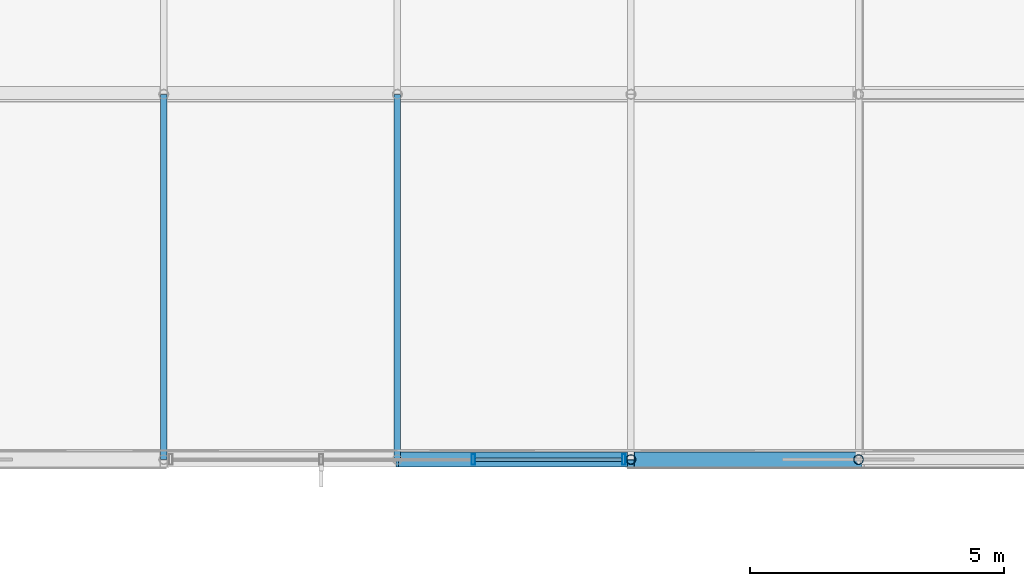
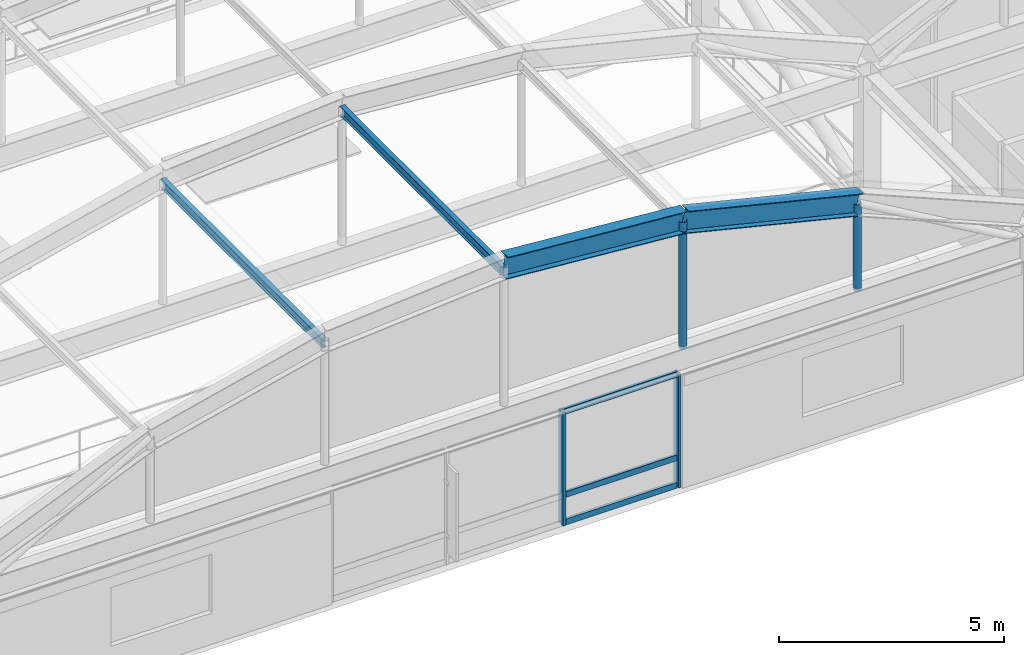
# One storey, part 34 of 106: 11 members, 1 element without a shape of its own.
"""IFC4 building model written with IfcOpenShell, lengths in metres."""

from ifc_helpers import new_model, si_unit, direction, frame, origin, origin_2d, place, context, subcontext, project, spatial, hollow_rectangle, hollow_circle, i_section, extrude, material, material_profile, profile_set, type_object, element, aggregate, save


model = new_model("IFC4")

# Units and contexts
model_context = context("Model", 3, precision=1e-05, world=origin(), true_north=direction((0.0, 1.0)))
body_context = subcontext(model_context, "Body", "Model", "MODEL_VIEW")
ifc_project = project(units=[si_unit("LENGTHUNIT", "METRE"), si_unit("AREAUNIT", "SQUARE_METRE"), si_unit("VOLUMEUNIT", "CUBIC_METRE"), si_unit("PLANEANGLEUNIT", "RADIAN"), si_unit("MASSUNIT", "GRAM", prefix="KILO")], contexts=[model_context])

# Site, building, storey
site_placement = place(None, origin())
site = spatial("IfcSite", under=ifc_project, at=site_placement, CompositionType="ELEMENT")
building_placement = place(site_placement, origin())
building = spatial("IfcBuilding", under=site, at=building_placement, Name="Kazanami Central Library", CompositionType="ELEMENT")
storey_placement = place(building_placement, frame((0.0, 0.0, 12.800048828125)))
storey = spatial("IfcBuildingStorey", under=building, at=storey_placement, Name="L04", CompositionType="ELEMENT", Elevation=12.800048828125)

# Members
ifc_material_1 = material(Name="Steel SN490B (325 MPa)", Category="steel")
ifc_material_profile_1 = material_profile(ifc_material_1, i_section(OverallWidth=0.300048828125, OverallDepth=0.587890625, WebThickness=0.011962890625, FlangeThickness=0.02001953125, at=origin_2d()), Name="H-588x300x12x20")
ifc_profile_set_1 = profile_set([ifc_material_profile_1], Name="Steel SN490B (325 MPa)")
member_type_1 = type_object("IfcMemberType", Name="MEM-AR-01", PredefinedType="CHORD", material=ifc_profile_set_1)
for number, where, z_axis, x_axis, name in (
    (1, (76.5, 64.800048828125, 7.549072265625), (0.99683088961, 0.0, -0.079549842985), (0.0, 1.0, 0.0), "Barrel Vault Arch Rib AR-01 VAULT-MAIN Grid K Seg 4"),
    (2, (81.104248046875, 64.800048828125, 7.181640625), (0.971622638672, 0.0, -0.236536356656), (0.0, 1.0, 0.0), "Barrel Vault Arch Rib AR-01 VAULT-MAIN Grid K Seg 5"),
):
    element("IfcMember", number, at=place(storey_placement, frame(where, z_axis=z_axis, x_axis=x_axis)), inside=storey, type_object=member_type_1, Name=name, PredefinedType="CHORD", context=body_context, shape_type="SweptSolid", body=[
        extrude(i_section(OverallWidth=0.300048828125, OverallDepth=0.587890625, WebThickness=0.011962890625, FlangeThickness=0.02001953125, at=origin_2d()), origin(), (0.0, 0.0, 1.0), 4.618896484375),
    ])

# Curtain wall, members
ifc_material_2 = material(Name="Acid-Etched Low-E Laminated Glass", Category="glass")
curtain_wall_type = type_object("IfcCurtainWallType", Name="CW-9000x3080-M275", PredefinedType="USERDEFINED", material=ifc_material_2)
curtain_wall_placement = place(storey_placement, origin())
curtain_wall = element("IfcCurtainWall", 3, at=curtain_wall_placement, inside=storey, type_object=curtain_wall_type, Name="Unitised Curtain Wall CW-41 L04 S-K-08", ObjectType="UNITISED CURTAIN WALL", PredefinedType="USERDEFINED")
ifc_material_3 = material(Name="Anodised Aluminium A6063-T5", Category="aluminium")
ifc_material_profile_2 = material_profile(ifc_material_3, hollow_rectangle(XDim=0.070068359375, YDim=0.2099609375, WallThickness=0.0048828125, at=origin_2d()), Name="ALU-MULL-70x210x5")
ifc_profile_set_2 = profile_set([ifc_material_profile_2], Name="Anodised Aluminium A6063-T5")
member_type_2 = type_object("IfcMemberType", Name="MEM-CW-M1", PredefinedType="MULLION", material=ifc_profile_set_2)
member_1_placement = place(storey_placement, frame((78.0, 64.800048828125, 0.0), z_axis=(0.0, 0.0, 1.0), x_axis=(1.0, 0.0, 0.0)))
member_1 = element("IfcMember", 4, at=member_1_placement, type_object=member_type_2, Name="CW-41 mullion 3", PredefinedType="MULLION", context=body_context, shape_type="SweptSolid", body=[
    extrude(hollow_rectangle(XDim=0.070068359375, YDim=0.2099609375, WallThickness=0.0048828125, at=origin_2d()), origin(), (0.0, 0.0, 1.0), 3.079833984375),
])
member_2_placement = place(storey_placement, frame((80.965087890625, 64.800048828125, 0.0), z_axis=(0.0, 0.0, 1.0), x_axis=(1.0, 0.0, 0.0)))
member_2 = element("IfcMember", 5, at=member_2_placement, type_object=member_type_2, Name="CW-41 mullion 4", PredefinedType="MULLION", context=body_context, shape_type="SweptSolid", body=[
    extrude(hollow_rectangle(XDim=0.070068359375, YDim=0.2099609375, WallThickness=0.0048828125, at=origin_2d()), origin(), (0.0, 0.0, 1.0), 3.079833984375),
])
ifc_material_profile_3 = material_profile(ifc_material_3, hollow_rectangle(XDim=0.070068359375, YDim=0.159912109375, WallThickness=0.00390625, at=origin_2d()), Name="ALU-TRAN-70x160x4")
ifc_profile_set_3 = profile_set([ifc_material_profile_3], Name="Anodised Aluminium A6063-T5")
member_type_3 = type_object("IfcMemberType", Name="MEM-CW-T1", PredefinedType="USERDEFINED", material=ifc_profile_set_3)
member_3_placement = place(storey_placement, frame((78.034912109375, 64.800048828125, 0.034912109375), z_axis=(1.0, 0.0, 0.0), x_axis=(0.0, 1.0, 0.0)))
member_3 = element("IfcMember", 6, at=member_3_placement, type_object=member_type_3, Name="CW-41 transom 3.1", ObjectType="TRANSOM", PredefinedType="USERDEFINED", context=body_context, shape_type="SweptSolid", body=[
    extrude(hollow_rectangle(XDim=0.070068359375, YDim=0.159912109375, WallThickness=0.00390625, at=origin_2d()), origin(), (0.0, 0.0, 1.0), 2.89501953125),
])
member_4_placement = place(storey_placement, frame((78.034912109375, 64.800048828125, 0.780029296875), z_axis=(1.0, 0.0, 0.0), x_axis=(0.0, 1.0, 0.0)))
member_4 = element("IfcMember", 7, at=member_4_placement, type_object=member_type_3, Name="CW-41 transom 3.2", ObjectType="TRANSOM", PredefinedType="USERDEFINED", context=body_context, shape_type="SweptSolid", body=[
    extrude(hollow_rectangle(XDim=0.070068359375, YDim=0.159912109375, WallThickness=0.00390625, at=origin_2d()), origin(), (0.0, 0.0, 1.0), 2.89501953125),
])
member_5_placement = place(storey_placement, frame((78.034912109375, 64.800048828125, 3.044921875), z_axis=(1.0, 0.0, 0.0), x_axis=(0.0, 1.0, 0.0)))
member_5 = element("IfcMember", 8, at=member_5_placement, type_object=member_type_3, Name="CW-41 transom 3.3", ObjectType="TRANSOM", PredefinedType="USERDEFINED", context=body_context, shape_type="SweptSolid", body=[
    extrude(hollow_rectangle(XDim=0.070068359375, YDim=0.159912109375, WallThickness=0.00390625, at=origin_2d()), origin(), (0.0, 0.0, 1.0), 2.89501953125),
])
aggregate(curtain_wall, [member_1, member_2, member_3, member_4, member_5])

# Members
ifc_material_4 = material(Name="Steel SN400B (235 MPa)", Category="steel")
ifc_material_profile_4 = material_profile(ifc_material_4, i_section(OverallWidth=0.125, OverallDepth=0.25, WebThickness=0.006103515625, FlangeThickness=0.009033203125, at=origin_2d()), Name="H-250x125x6x9")
ifc_profile_set_4 = profile_set([ifc_material_profile_4], Name="Steel SN400B (235 MPa)")
member_type_4 = type_object("IfcMemberType", Name="MEM-PUR-250", PredefinedType="PURLIN", material=ifc_profile_set_4)
for number, where, z_axis, x_axis, name in (
    (9, (71.895751953125, 64.804931640625, 7.041748046875), (0.0, 1.0, 0.0), (-1.0, 0.0, 0.0), "Barrel Vault Longitudinal Purlin VAULT-MAIN Knuckle 2.1"),
    (10, (76.5, 64.804931640625, 7.408935546875), (0.0, 1.0, 0.0), (-1.0, 0.0, 0.0), "Barrel Vault Longitudinal Purlin VAULT-MAIN Knuckle 3.1"),
):
    element("IfcMember", number, at=place(storey_placement, frame(where, z_axis=z_axis, x_axis=x_axis)), inside=storey, type_object=member_type_4, Name=name, PredefinedType="PURLIN", context=body_context, shape_type="SweptSolid", body=[
        extrude(i_section(OverallWidth=0.125, OverallDepth=0.25, WebThickness=0.006103515625, FlangeThickness=0.009033203125, at=origin_2d()), origin(), (0.0, 0.0, 1.0), 7.190185546875),
    ])
ifc_material_5 = material(Name="Steel STK490 (315 MPa)", Category="steel")
ifc_material_profile_5 = material_profile(ifc_material_5, hollow_circle(Radius=0.095458984375, WallThickness=0.007080078125, at=origin_2d()), Name="CHS-190.7x7.0")
ifc_profile_set_5 = profile_set([ifc_material_profile_5], Name="Steel STK490 (315 MPa)")
member_type_5 = type_object("IfcMemberType", Name="MEM-VST-190", PredefinedType="STRUT", material=ifc_profile_set_5)
member_6_placement = place(storey_placement, frame((81.104248046875, 64.800048828125, 3.71484375), z_axis=(0.0, 0.0, 1.0), x_axis=(1.0, 0.0, 0.0)))
element("IfcMember", 11, at=member_6_placement, inside=storey, type_object=member_type_5, Name="Barrel Vault Tied-Arch Web Strut VAULT-MAIN Grid K Knuckle 4", PredefinedType="STRUT", context=body_context, shape_type="SweptSolid", body=[
    extrude(hollow_circle(Radius=0.095458984375, WallThickness=0.007080078125, at=origin_2d()), origin(), (0.0, 0.0, 1.0), 3.44677734375),
])
member_7_placement = place(storey_placement, frame((85.592041015625, 64.800048828125, 3.71484375), z_axis=(0.0, 0.0, 1.0), x_axis=(1.0, 0.0, 0.0)))
element("IfcMember", 12, at=member_7_placement, inside=storey, type_object=member_type_5, Name="Barrel Vault Tied-Arch Web Strut VAULT-MAIN Grid K Knuckle 5", PredefinedType="STRUT", context=body_context, shape_type="SweptSolid", body=[
    extrude(hollow_circle(Radius=0.095458984375, WallThickness=0.007080078125, at=origin_2d()), origin(), (0.0, 0.0, 1.0), 2.354248046875),
])

save(model, "model.ifc")
